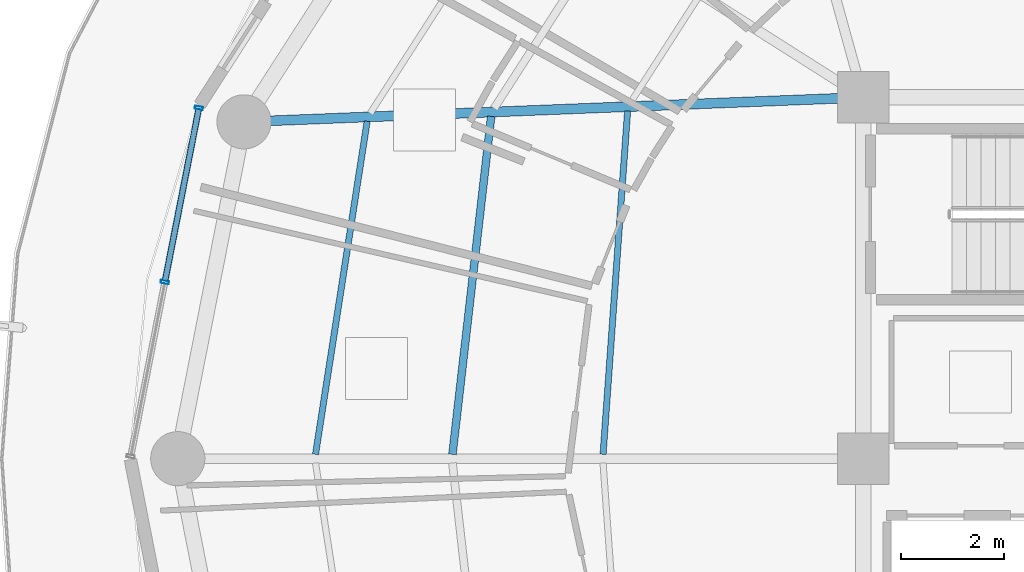
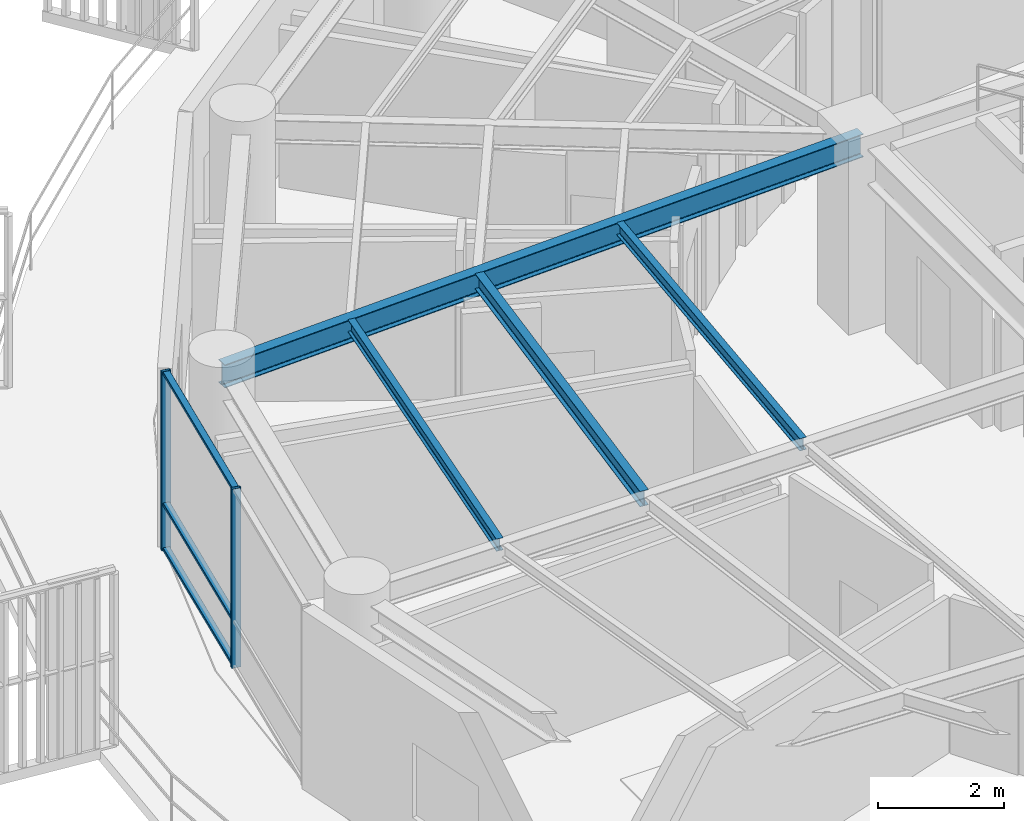
# One storey, part 8 of 31: 5 members, 4 beams, 1 element without a shape of its own.
"""IFC4 building model written with IfcOpenShell, lengths in metres."""

from ifc_helpers import new_model, si_unit, direction, frame, origin, origin_2d, place, context, subcontext, project, spatial, hollow_rectangle, i_section, extrude, material, layer, layer_set, material_profile, profile_set, type_object, element, aggregate, save


model = new_model("IFC4")

# Units and contexts
model_context = context("Model", 3, precision=1e-05, world=origin(), true_north=direction((0.0, 1.0)))
body_context = subcontext(model_context, "Body", "Model", "MODEL_VIEW")
ifc_project = project(units=[si_unit("LENGTHUNIT", "METRE"), si_unit("AREAUNIT", "SQUARE_METRE"), si_unit("VOLUMEUNIT", "CUBIC_METRE"), si_unit("PLANEANGLEUNIT", "RADIAN"), si_unit("MASSUNIT", "GRAM", prefix="KILO")], contexts=[model_context])

# Site, building, storey
site_placement = place(None, origin())
site = spatial("IfcSite", under=ifc_project, at=site_placement, CompositionType="ELEMENT")
building_placement = place(site_placement, origin())
building = spatial("IfcBuilding", under=site, at=building_placement, Name="Kelanora Arch Commons", CompositionType="ELEMENT")
storey_placement = place(building_placement, frame((0.0, 0.0, 226.949951171875)))
storey = spatial("IfcBuildingStorey", under=building, at=storey_placement, Name="L58", CompositionType="ELEMENT", Elevation=226.949951171875)

# Beams
ifc_material_1 = material(Name="Steel S355", Category="steel")
ifc_material_profile_1 = material_profile(ifc_material_1, i_section(OverallWidth=0.14990234375, OverallDepth=0.300048828125, WebThickness=0.007080078125, FlangeThickness=0.0107421875, FilletRadius=0.014892578125, at=origin_2d()), Name="IPE300")
ifc_profile_set_1 = profile_set([ifc_material_profile_1], Name="Steel S355")
beam_type_1 = type_object("IfcBeamType", Name="BM-JST-01", PredefinedType="JOIST", material=ifc_profile_set_1)
beam_1_placement = place(storey_placement, frame((58.792236328125, 64.631103515625, 3.340087890625), z_axis=(-0.113891408177, -0.993493204377, 0.0), x_axis=(0.993493204377, -0.113891408177, 0.0)))
element("IfcBeam", 1, at=beam_1_placement, inside=storey, type_object=beam_type_1, Name="Secondary Chord Joist BJB-16 L58", PredefinedType="JOIST", context=body_context, shape_type="SweptSolid", body=[
    extrude(i_section(OverallWidth=0.14990234375, OverallDepth=0.300048828125, WebThickness=0.007080078125, FlangeThickness=0.0107421875, FilletRadius=0.014892578125, at=origin_2d()), origin(), (0.0, 0.0, 1.0), 6.589599609375),
])
ifc_material_profile_2 = material_profile(ifc_material_1, i_section(OverallWidth=0.1201171875, OverallDepth=0.239990234375, WebThickness=0.006103515625, FlangeThickness=0.009765625, FilletRadius=0.014892578125, at=origin_2d()), Name="IPE240")
ifc_profile_set_2 = profile_set([ifc_material_profile_2], Name="Steel S355")
beam_type_2 = type_object("IfcBeamType", Name="BM-JST-02", PredefinedType="JOIST", material=ifc_profile_set_2)
beam_2_placement = place(storey_placement, frame((61.435302734375, 64.735107421875, 3.3701171875), z_axis=(-0.07133032136, -0.997452748382, 0.0), x_axis=(0.997452748382, -0.07133032136, 0.0)))
element("IfcBeam", 2, at=beam_2_placement, inside=storey, type_object=beam_type_2, Name="Secondary Chord Joist BJA-16 L58", PredefinedType="JOIST", context=body_context, shape_type="SweptSolid", body=[
    extrude(i_section(OverallWidth=0.1201171875, OverallDepth=0.239990234375, WebThickness=0.006103515625, FlangeThickness=0.009765625, FilletRadius=0.014892578125, at=origin_2d()), origin(), (0.0, 0.0, 1.0), 6.66748046875),
])
beam_3_placement = place(storey_placement, frame((56.3896484375, 64.53662109375, 3.3701171875), z_axis=(-0.153256756152, -0.988186402808, 0.0), x_axis=(0.988186402808, -0.153256756152, 0.0)))
element("IfcBeam", 3, at=beam_3_placement, inside=storey, type_object=beam_type_2, Name="Secondary Chord Joist BJC-16 L58", PredefinedType="JOIST", context=body_context, shape_type="SweptSolid", body=[
    extrude(i_section(OverallWidth=0.1201171875, OverallDepth=0.239990234375, WebThickness=0.006103515625, FlangeThickness=0.009765625, FilletRadius=0.014892578125, at=origin_2d()), origin(), (0.0, 0.0, 1.0), 6.52978515625),
])
ifc_material_profile_3 = material_profile(ifc_material_1, i_section(OverallWidth=0.18994140625, OverallDepth=0.449951171875, WebThickness=0.009521484375, FlangeThickness=0.0146484375, FilletRadius=0.02099609375, at=origin_2d()), Name="IPE450")
ifc_profile_set_3 = profile_set([ifc_material_profile_3], Name="Steel S355")
beam_type_3 = type_object("IfcBeamType", Name="BM-RAD-Z4", PredefinedType="BEAM", material=ifc_profile_set_3)
beam_4_placement = place(storey_placement, frame((66.0, 65.0, 3.26513671875), z_axis=(-0.999219142585, -0.03951082246, 0.0), x_axis=(0.03951082246, -0.999219142585, 0.0)))
element("IfcBeam", 4, at=beam_4_placement, inside=storey, type_object=beam_type_3, Name="Radial Floor Girder BR-16 L58", PredefinedType="BEAM", context=body_context, shape_type="SweptSolid", body=[
    extrude(i_section(OverallWidth=0.18994140625, OverallDepth=0.449951171875, WebThickness=0.009521484375, FlangeThickness=0.0146484375, FilletRadius=0.02099609375, at=origin_2d()), origin(), (0.0, 0.0, 1.0), 12.005859375),
])

# Curtain wall, members
ifc_material_2 = material(Name="Terracotta ceramic-fritted low-E glass and aluminium", Category="masonry")
ifc_layer = layer(ifc_material_2, 0.175048828125)
ifc_layer_set = layer_set([ifc_layer], Name="Terracotta ceramic-fritted low-E glass and aluminium")
curtain_wall_type = type_object("IfcCurtainWallType", Name="CW-SYS-02", PredefinedType="NOTDEFINED", material=ifc_layer_set)
curtain_wall_placement = place(storey_placement, origin())
curtain_wall = element("IfcCurtainWall", 5, at=curtain_wall_placement, inside=storey, type_object=curtain_wall_type, Name="Unitised Curtain Wall L58-B08", PredefinedType="NOTDEFINED")
ifc_material_3 = material(Name="Powder-coated aluminium terracotta", Category="masonry")
ifc_material_profile_4 = material_profile(ifc_material_3, hollow_rectangle(XDim=0.159912109375, YDim=0.06005859375, WallThickness=0.0048828125, InnerFilletRadius=0.0048828125, OuterFilletRadius=0.010009765625, at=origin_2d()), Name="CWM160x60")
ifc_profile_set_4 = profile_set([ifc_material_profile_4], Name="Powder-coated aluminium terracotta")
member_type_1 = type_object("IfcMemberType", Name="CWM-STD", PredefinedType="MULLION", material=ifc_profile_set_4)
member_1_placement = place(storey_placement, frame((53.130126953125, 64.796142578125, 0.0), z_axis=(0.0, 0.0, 1.0), x_axis=(0.981381438349, -0.192068926335, 0.0)))
member_1 = element("IfcMember", 6, at=member_1_placement, type_object=member_type_1, Name="CW-02 mullion 1", PredefinedType="MULLION", context=body_context, shape_type="SweptSolid", body=[
    extrude(hollow_rectangle(XDim=0.159912109375, YDim=0.06005859375, WallThickness=0.0048828125, InnerFilletRadius=0.0048828125, OuterFilletRadius=0.010009765625, at=origin_2d()), origin(), (0.0, 0.0, 1.0), 3.47509765625),
])
member_2_placement = place(storey_placement, frame((52.469482421875, 61.420166015625, 0.0), z_axis=(0.0, 0.0, 1.0), x_axis=(0.981381438349, -0.192068926335, 0.0)))
member_2 = element("IfcMember", 7, at=member_2_placement, type_object=member_type_1, Name="CW-02 mullion 2", PredefinedType="MULLION", context=body_context, shape_type="SweptSolid", body=[
    extrude(hollow_rectangle(XDim=0.159912109375, YDim=0.06005859375, WallThickness=0.0048828125, InnerFilletRadius=0.0048828125, OuterFilletRadius=0.010009765625, at=origin_2d()), origin(), (0.0, 0.0, 1.0), 3.47509765625),
])
ifc_material_profile_5 = material_profile(ifc_material_3, hollow_rectangle(XDim=0.1201171875, YDim=0.06005859375, WallThickness=0.0048828125, InnerFilletRadius=0.0048828125, OuterFilletRadius=0.010009765625, at=origin_2d()), Name="CWT120x60")
ifc_profile_set_5 = profile_set([ifc_material_profile_5], Name="Powder-coated aluminium terracotta")
member_type_2 = type_object("IfcMemberType", Name="CWT-STD", PredefinedType="USERDEFINED", material=ifc_profile_set_5)
member_3_placement = place(storey_placement, frame((53.124267578125, 64.766845703125, 0.030029296875), z_axis=(-0.192058488005, -0.981383481207, 0.0), x_axis=(0.981383481207, -0.192058488005, 0.0)))
member_3 = element("IfcMember", 8, at=member_3_placement, type_object=member_type_2, Name="CW-02 transom 1.1", ObjectType="TRANSOM", PredefinedType="USERDEFINED", context=body_context, shape_type="SweptSolid", body=[
    extrude(hollow_rectangle(XDim=0.1201171875, YDim=0.06005859375, WallThickness=0.0048828125, InnerFilletRadius=0.0048828125, OuterFilletRadius=0.010009765625, at=origin_2d()), origin(), (0.0, 0.0, 1.0), 3.380126953125),
])
member_4_placement = place(storey_placement, frame((53.124267578125, 64.766845703125, 0.900146484375), z_axis=(-0.192058488005, -0.981383481207, 0.0), x_axis=(0.981383481207, -0.192058488005, 0.0)))
member_4 = element("IfcMember", 9, at=member_4_placement, type_object=member_type_2, Name="CW-02 transom 1.2", ObjectType="TRANSOM", PredefinedType="USERDEFINED", context=body_context, shape_type="SweptSolid", body=[
    extrude(hollow_rectangle(XDim=0.1201171875, YDim=0.06005859375, WallThickness=0.0048828125, InnerFilletRadius=0.0048828125, OuterFilletRadius=0.010009765625, at=origin_2d()), origin(), (0.0, 0.0, 1.0), 3.380126953125),
])
member_5_placement = place(storey_placement, frame((53.124267578125, 64.766845703125, 3.445068359375), z_axis=(-0.192058488005, -0.981383481207, 0.0), x_axis=(0.981383481207, -0.192058488005, 0.0)))
member_5 = element("IfcMember", 10, at=member_5_placement, type_object=member_type_2, Name="CW-02 transom 1.3", ObjectType="TRANSOM", PredefinedType="USERDEFINED", context=body_context, shape_type="SweptSolid", body=[
    extrude(hollow_rectangle(XDim=0.1201171875, YDim=0.06005859375, WallThickness=0.0048828125, InnerFilletRadius=0.0048828125, OuterFilletRadius=0.010009765625, at=origin_2d()), origin(), (0.0, 0.0, 1.0), 3.380126953125),
])
aggregate(curtain_wall, [member_1, member_2, member_3, member_4, member_5])

save(model, "model.ifc")
